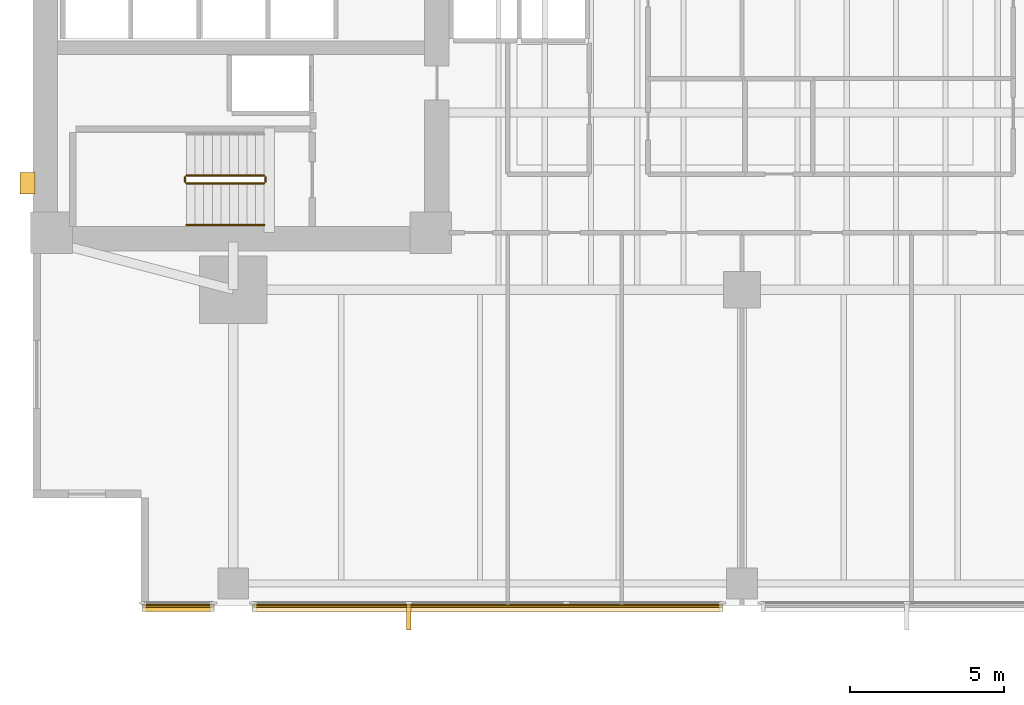
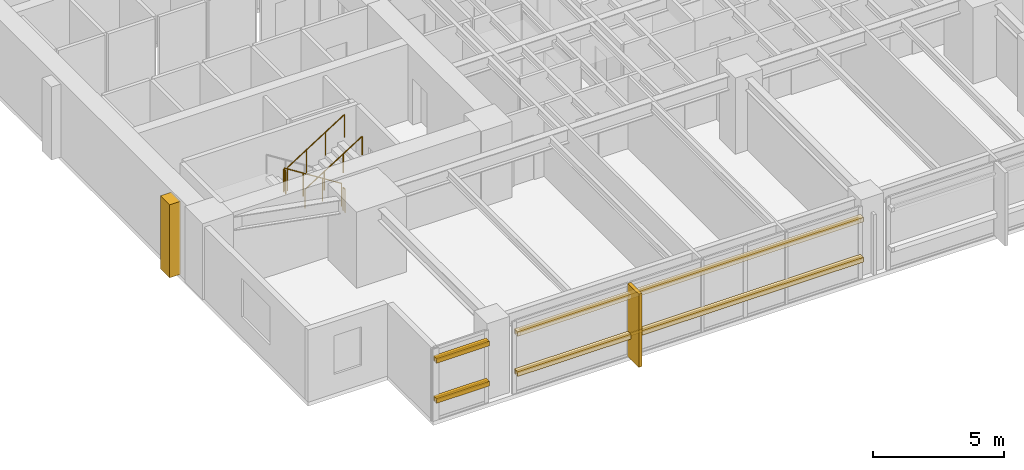
# One storey, part 12 of 15: 6 coverings, 5 railings, 4 shading devices.
"""IFC4 building model written with IfcOpenShell, lengths in metres."""

import ifcopenshell
import ifcopenshell.guid

model = None  # the IFC model being written
_history = None  # IfcOwnerHistory: only IFC2X3 demands one
_inside = {}  # id of a spatial element -> (the spatial element, [elements in it])
_under = {}  # id of a project, library or spatial element -> (it, [spatial elements below it])
_declared = {}  # id of a project -> (the project, [libraries it declares])
_typed = {}  # id of a type object -> (the type object, [elements of that type])
_made_of = {}  # id of a material, layer set ... -> (it, [elements and type objects made of it])


def new_model(schema):
    """Start an empty IFC model of exactly this schema.

    Asked for "IFC4X3", IfcOpenShell would pick the latest addendum, in which some entities
    have other attributes; the version numbers below select the first issue.
    IFC2X3 requires an IfcOwnerHistory on every rooted entity: one is made here for all.
    """
    global model, _history
    if schema == "IFC4X3":
        model = ifcopenshell.file(schema_version=(4, 3, 0, 0))
    else:
        model = ifcopenshell.file(schema=schema)
    _inside.clear()
    _under.clear()
    _declared.clear()
    _typed.clear()
    _made_of.clear()
    _history = None
    if model.schema == "IFC2X3":
        org = make("IfcOrganization", Name="unknown")
        user = make(
            "IfcPersonAndOrganization",
            ThePerson=make("IfcPerson", FamilyName="unknown"),
            TheOrganization=org,
        )
        app = make(
            "IfcApplication",
            ApplicationDeveloper=org,
            Version="unknown",
            ApplicationFullName="unknown",
            ApplicationIdentifier="unknown",
        )
        _history = make(
            "IfcOwnerHistory",
            OwningUser=user,
            OwningApplication=app,
            ChangeAction="ADDED",
            CreationDate=0,
        )
    return model


def make(cls, **values):
    """One entity of the class cls with the attributes given. An attribute that is None is left unset."""
    return model.create_entity(
        cls, **{name: value for name, value in values.items() if value is not None}
    )


def rooted(cls, **values):
    """An entity with a GlobalId (a new one), such as an element, a storey or a relation."""
    return make(cls, GlobalId=ifcopenshell.guid.new(), OwnerHistory=_history, **values)


def si_unit(unit_type, name, prefix=None):
    """IfcSIUnit, for example si_unit("LENGTHUNIT", "METRE", prefix="MILLI")."""
    return make("IfcSIUnit", UnitType=unit_type, Prefix=prefix, Name=name)


def assignment(units):
    """IfcUnitAssignment: the units of a project."""
    return None if units is None else make("IfcUnitAssignment", Units=units)


def point(xyz):
    """IfcCartesianPoint."""
    return None if xyz is None else make("IfcCartesianPoint", Coordinates=xyz)


def direction(xyz):
    """IfcDirection."""
    return None if xyz is None else make("IfcDirection", DirectionRatios=xyz)


def frame(location, z_axis=None, x_axis=None):
    """IfcAxis2Placement3D, a coordinate frame: its origin and axes. An axis left out is left unset."""
    return make(
        "IfcAxis2Placement3D",
        Location=point(location),
        Axis=direction(z_axis),
        RefDirection=direction(x_axis),
    )


def frame_2d(location, x_axis=None):
    """IfcAxis2Placement2D, a coordinate frame in the plane: its origin and x axis."""
    return make(
        "IfcAxis2Placement2D", Location=point(location), RefDirection=direction(x_axis)
    )


def origin():
    """The frame at (0, 0, 0) with its axes left unset."""
    return frame((0.0, 0.0, 0.0))


def origin_2d():
    """The frame at (0, 0) in the plane with its x axis left unset."""
    return frame_2d((0.0, 0.0))


def place(relative_to, where):
    """IfcLocalPlacement: puts the frame where relative to a parent placement (None: the world)."""
    return make(
        "IfcLocalPlacement", PlacementRelTo=relative_to, RelativePlacement=where
    )


def context(
    kind, dimensions, precision=None, world=None, true_north=None, identifier=None
):
    """IfcGeometricRepresentationContext, for example the 3D "Model" context."""
    return make(
        "IfcGeometricRepresentationContext",
        ContextIdentifier=identifier,
        ContextType=kind,
        CoordinateSpaceDimension=dimensions,
        Precision=precision,
        WorldCoordinateSystem=world,
        TrueNorth=true_north,
    )


def subcontext(parent, identifier, kind, view, scale=None):
    """IfcGeometricRepresentationSubContext, for example "Body" below "Model"."""
    return make(
        "IfcGeometricRepresentationSubContext",
        ContextIdentifier=identifier,
        ContextType=kind,
        ParentContext=parent,
        TargetScale=scale,
        TargetView=view,
    )


def project(units=None, contexts=None):
    """IfcProject with its units and contexts."""
    return rooted(
        "IfcProject",
        Name="project",
        RepresentationContexts=contexts,
        UnitsInContext=assignment(units),
    )


def spatial(cls, under=None, at=None, **own):
    """A site, building, storey or space (cls), placed at a placement, below another one or the project."""
    s = rooted(cls, ObjectPlacement=at, **own)
    if under is not None:
        _under.setdefault(under.id(), (under, []))[1].append(s)
    return s


def polyline(points):
    """IfcPolyline through the points."""
    return make("IfcPolyline", Points=[point(p) for p in points])


def profile(cls, at=None, kind="AREA", **sizes):
    """A parametric profile (cls). Its sizes go by their IFC names, for example OverallWidth=200.0."""
    return make(cls, ProfileType=kind, Position=at, **sizes)


def rectangle(**sizes):
    """IfcRectangleProfileDef."""
    return profile("IfcRectangleProfileDef", **sizes)


def circle(**sizes):
    """IfcCircleProfileDef."""
    return profile("IfcCircleProfileDef", **sizes)


def outline(outer, holes=None, kind="AREA"):
    """IfcArbitraryClosedProfileDef: a profile drawn as a closed curve; with holes, ...WithVoids."""
    if holes is None:
        return make("IfcArbitraryClosedProfileDef", ProfileType=kind, OuterCurve=outer)
    return make(
        "IfcArbitraryProfileDefWithVoids",
        ProfileType=kind,
        OuterCurve=outer,
        InnerCurves=holes,
    )


def extrude(swept, where, along, depth):
    """IfcExtrudedAreaSolid: the profile swept, set in the frame where, extruded along a direction by depth."""
    return make(
        "IfcExtrudedAreaSolid",
        SweptArea=swept,
        Position=where,
        ExtrudedDirection=direction(along),
        Depth=depth,
    )


def shape(context_of_items, identifier, shape_type, items):
    """IfcShapeRepresentation: the items that make up one representation, for example the "Body"."""
    return make(
        "IfcShapeRepresentation",
        ContextOfItems=context_of_items,
        RepresentationIdentifier=identifier,
        RepresentationType=shape_type,
        Items=items,
    )


def material(Name=None, Category=None):
    """IfcMaterial."""
    return make("IfcMaterial", Name=Name, Category=Category)


def layer(
    of_material, thickness, ventilated=None, Name=None, Category=None, Priority=None
):
    """IfcMaterialLayer: one layer of a wall or slab, of a material (None: an air gap)."""
    return make(
        "IfcMaterialLayer",
        Material=of_material,
        LayerThickness=thickness,
        IsVentilated=ventilated,
        Name=Name,
        Category=Category,
        Priority=Priority,
    )


def layer_set(layers, Name=None):
    """IfcMaterialLayerSet."""
    return make("IfcMaterialLayerSet", MaterialLayers=layers, LayerSetName=Name)


def material_profile(
    of_material, cross_section, Name=None, Category=None, Priority=None
):
    """IfcMaterialProfile: a cross section and its material."""
    return make(
        "IfcMaterialProfile",
        Name=Name,
        Material=of_material,
        Profile=cross_section,
        Priority=Priority,
        Category=Category,
    )


def profile_set(profiles, Name=None, composite=None):
    """IfcMaterialProfileSet."""
    return make(
        "IfcMaterialProfileSet",
        Name=Name,
        MaterialProfiles=profiles,
        CompositeProfile=composite,
    )


def made_of(thing, what):
    """Note that an element or type object is made of a material, layer set ...; save() writes the relation."""
    if what is not None:
        _made_of.setdefault(what.id(), (what, []))[1].append(thing)
    return thing


def type_object(cls, material=None, **own):
    """A type object (cls), such as IfcWallType, which elements share."""
    return made_of(rooted(cls, **own), material)


def element(
    cls,
    number,
    at=None,
    inside=None,
    cuts=None,
    type_object=None,
    material=None,
    context=None,
    identifier="Body",
    shape_type=None,
    held_by="IfcProductDefinitionShape",
    body=None,
    shapes=None,
    **own,
):
    """One element of the class cls, such as IfcWall. Its Tag is "e" and its number.

    at: its placement. inside: the storey or other place that contains it. cuts: it is an
    opening in that element (IfcRelVoidsElement). A single representation is given by context,
    identifier, shape_type and body (its items); several are given by shapes. held_by: the class
    of the entity that holds the representations. save() writes the other relations.
    """
    e = rooted(cls, Tag="e%d" % number, ObjectPlacement=at, **own)
    if body is not None:
        shapes = [shape(context, identifier, shape_type, body)]
    if shapes is not None:
        e.Representation = make(held_by, Representations=shapes)
    if inside is not None:
        _inside.setdefault(inside.id(), (inside, []))[1].append(e)
    if cuts is not None:
        rooted(
            "IfcRelVoidsElement", RelatingBuildingElement=cuts, RelatedOpeningElement=e
        )
    if type_object is not None:
        _typed.setdefault(type_object.id(), (type_object, []))[1].append(e)
    return made_of(e, material)


def aggregate(whole, parts):
    """IfcRelAggregates: a whole, such as a stair, and the parts it consists of."""
    return rooted("IfcRelAggregates", RelatingObject=whole, RelatedObjects=parts)


def save(model, path):
    """Write the relations noted so far, then the file.

    IfcRelAggregates (storeys below a building ...), IfcRelContainedInSpatialStructure (elements
    in a storey), IfcRelDefinesByType, IfcRelAssociatesMaterial and IfcRelDeclares: one each for
    every whole, place, type object, material and project.
    """
    for whole, parts in _under.values():
        aggregate(whole, parts)
    for where, things in _inside.values():
        rooted(
            "IfcRelContainedInSpatialStructure",
            RelatedElements=things,
            RelatingStructure=where,
        )
    for kind, things in _typed.values():
        rooted("IfcRelDefinesByType", RelatedObjects=things, RelatingType=kind)
    for what, things in _made_of.values():
        rooted("IfcRelAssociatesMaterial", RelatedObjects=things, RelatingMaterial=what)
    for by, libraries in _declared.values():
        rooted("IfcRelDeclares", RelatingContext=by, RelatedDefinitions=libraries)
    model.write(path)


model = new_model("IFC4")

# Units and contexts
model_context = context("Model", 3, precision=1e-05, world=origin(), true_north=direction((0.0, 1.0)))
body_context = subcontext(model_context, "Body", "Model", "MODEL_VIEW")
ifc_project = project(units=[si_unit("LENGTHUNIT", "METRE"), si_unit("AREAUNIT", "SQUARE_METRE"), si_unit("VOLUMEUNIT", "CUBIC_METRE"), si_unit("PLANEANGLEUNIT", "RADIAN"), si_unit("MASSUNIT", "GRAM", prefix="KILO")], contexts=[model_context])

# Site, building, storey
site_placement = place(None, origin())
site = spatial("IfcSite", under=ifc_project, at=site_placement, CompositionType="ELEMENT")
building_placement = place(site_placement, origin())
building = spatial("IfcBuilding", under=site, at=building_placement, Name="Kinhvarn Gate Tower", CompositionType="ELEMENT")
storey_placement = place(building_placement, frame((0.0, 0.0, 64.64990234375)))
storey = spatial("IfcBuildingStorey", under=building, at=storey_placement, Name="L16", CompositionType="ELEMENT", Elevation=64.64990234375)

# Coverings
ifc_material_1 = material(Name="Fired architectural terracotta", Category="masonry")
ifc_layer_1 = layer(ifc_material_1, 0.239990234375)
ifc_layer_set_1 = layer_set([ifc_layer_1], Name="Fired architectural terracotta")
covering_type_1 = type_object("IfcCoveringType", Name="COV-BAG-220", PredefinedType="CLADDING", material=ifc_layer_set_1)
for number, where, name in (
    (1, (0.0, 0.0, 0.940185546875), "Terracotta Horizontal Sunscreen Band TBG-220 (L16)"),
    (2, (0.0, 0.0, 2.81005859375), "Terracotta Horizontal Sunscreen Band TBG-220 (L16)"),
):
    element("IfcCovering", number, at=place(storey_placement, frame(where)), inside=storey, type_object=covering_type_1, Name=name, PredefinedType="CLADDING", context=body_context, shape_type="SweptSolid", body=[
        extrude(outline(polyline([(8.0400390625, 2.56005859375), (10.3798828125, 2.56005859375), (10.3798828125, 2.320068359375), (8.0400390625, 2.320068359375), (8.0400390625, 2.56005859375)])), origin(), (0.0, 0.0, 1.0), 0.219970703125),
    ])
for number, where, name in (
    (3, (0.0, 0.0, 0.940185546875), "Terracotta Horizontal Sunscreen Band TBG-220 (L16)"),
    (4, (0.0, 0.0, 2.81005859375), "Terracotta Horizontal Sunscreen Band TBG-220 (L16)"),
):
    element("IfcCovering", number, at=place(storey_placement, frame(where)), inside=storey, type_object=covering_type_1, Name=name, PredefinedType="CLADDING", context=body_context, shape_type="SweptSolid", body=[
        extrude(outline(polyline([(11.6201171875, 2.56005859375), (26.8798828125, 2.56005859375), (26.8798828125, 2.320068359375), (11.6201171875, 2.320068359375), (11.6201171875, 2.56005859375)])), origin(), (0.0, 0.0, 1.0), 0.219970703125),
    ])
ifc_layer_2 = layer(ifc_material_1, 0.139892578125)
ifc_layer_set_2 = layer_set([ifc_layer_2], Name="Fired architectural terracotta")
covering_type_2 = type_object("IfcCoveringType", Name="COV-FIN-850", PredefinedType="CLADDING", material=ifc_layer_set_2)
covering_1_placement = place(storey_placement, frame((0.0, 0.0, -0.02001953125)))
element("IfcCovering", 5, at=covering_1_placement, inside=storey, type_object=covering_type_2, Name="Vertical Terracotta Expressive Fin TFN-850 (L16)", PredefinedType="CLADDING", context=body_context, shape_type="SweptSolid", body=[
    extrude(outline(polyline([(16.623291015625, 2.570068359375), (16.76318359375, 2.570068359375), (16.76318359375, 1.719970703125), (16.623291015625, 1.719970703125), (16.623291015625, 2.570068359375)])), origin(), (0.0, 0.0, 1.0), 3.41015625),
])
ifc_material_2 = material(Name="Precast white architectural concrete C40/50", Category="concrete")
ifc_layer_3 = layer(ifc_material_2, 0.47998046875)
ifc_layer_set_3 = layer_set([ifc_layer_3], Name="Precast white architectural concrete C40/50")
covering_type_3 = type_object("IfcCoveringType", Name="COV-RIB-450", PredefinedType="CLADDING", material=ifc_layer_set_3)
covering_2_placement = place(storey_placement, frame((0.0, 0.0, -0.02001953125)))
element("IfcCovering", 6, at=covering_2_placement, inside=storey, type_object=covering_type_3, Name="West Core Sculptural Concrete Relief Rib CRB-450 (L16)", PredefinedType="CLADDING", context=body_context, shape_type="SweptSolid", body=[
    extrude(outline(polyline([(4.080078125, 15.85009765625), (4.56005859375, 15.85009765625), (4.56005859375, 16.550048828125), (4.080078125, 16.550048828125), (4.080078125, 15.85009765625)])), origin(), (0.0, 0.0, 1.0), 3.41015625),
])

# Railings
ifc_material_3 = material(Name="Steel S355", Category="steel")
railing_type_1 = type_object("IfcRailingType", Name="RL-ST-GRD", PredefinedType="BALUSTRADE", material=ifc_material_3)
railing_1_placement = place(storey_placement, frame((12.0, 16.449951171875, 0.177490234375)))
element("IfcRailing", 7, at=railing_1_placement, inside=storey, type_object=railing_type_1, Name="L16 ST1 stair guard 1", PredefinedType="BALUSTRADE", context=body_context, shape_type="SweptSolid", body=[
    extrude(circle(Radius=0.02392578125, at=origin_2d()), frame((0.0, 0.0, 1.076171875), z_axis=(-0.84456994832, 0.0, 0.535445237532), x_axis=(0.0, -1.0, 0.0)), (0.0, 0.0, 1.0), 2.98388671875),
    extrude(circle(Radius=0.02099609375, at=origin_2d()), origin(), (0.0, 0.0, 1.0), 1.052001953125),
    extrude(circle(Radius=0.02099609375, at=origin_2d()), frame((-0.840087890625, 0.0, 0.532470703125)), (0.0, 0.0, 1.0), 1.052001953125),
    extrude(circle(Radius=0.02099609375, at=origin_2d()), frame((-1.679931640625, 0.0, 1.065185546875)), (0.0, 0.0, 1.0), 1.052001953125),
    extrude(circle(Radius=0.02099609375, at=origin_2d()), frame((-2.52001953125, 0.0, 1.59765625)), (0.0, 0.0, 1.0), 1.052001953125),
])
railing_2_placement = place(storey_placement, frame((9.429931640625, 16.39990234375, 1.775146484375)))
element("IfcRailing", 8, at=railing_2_placement, inside=storey, type_object=railing_type_1, Name="L16 ST1 stair guard 2", PredefinedType="BALUSTRADE", context=body_context, shape_type="SweptSolid", body=[
    extrude(circle(Radius=0.02392578125, at=origin_2d()), frame((0.0, 0.0, 1.076171875), z_axis=(0.0, -1.0, 0.0), x_axis=(1.0, 0.0, 0.0)), (0.0, 0.0, 1.0), 0.14990234375),
    extrude(circle(Radius=0.02099609375, at=origin_2d()), origin(), (0.0, 0.0, 1.0), 1.052001953125),
    extrude(circle(Radius=0.02099609375, at=origin_2d()), frame((0.0, -0.14990234375, 0.0)), (0.0, 0.0, 1.0), 1.052001953125),
])
railing_3_placement = place(storey_placement, frame((9.47998046875, 16.199951171875, 1.95263671875)))
element("IfcRailing", 9, at=railing_3_placement, inside=storey, type_object=railing_type_1, Name="L16 ST1 stair guard 3", PredefinedType="BALUSTRADE", context=body_context, shape_type="SweptSolid", body=[
    extrude(circle(Radius=0.02392578125, at=origin_2d()), frame((0.0, 0.0, 1.076171875), z_axis=(0.84460694969, 0.0, 0.535386869969), x_axis=(0.0, 1.0, 0.0)), (0.0, 0.0, 1.0), 2.983642578125),
    extrude(circle(Radius=0.02099609375, at=origin_2d()), origin(), (0.0, 0.0, 1.0), 1.052001953125),
    extrude(circle(Radius=0.02099609375, at=origin_2d()), frame((0.840087890625, 0.0, 0.532470703125)), (0.0, 0.0, 1.0), 1.052001953125),
    extrude(circle(Radius=0.02099609375, at=origin_2d()), frame((1.679931640625, 0.0, 1.06494140625)), (0.0, 0.0, 1.0), 1.052001953125),
    extrude(circle(Radius=0.02099609375, at=origin_2d()), frame((2.52001953125, 0.0, 1.597412109375)), (0.0, 0.0, 1.0), 1.052001953125),
])
railing_4_placement = place(storey_placement, frame((12.050048828125, 16.39990234375, 0.0)))
element("IfcRailing", 10, at=railing_4_placement, inside=storey, type_object=railing_type_1, Name="L16 ST1 stair guard 4", PredefinedType="BALUSTRADE", context=body_context, shape_type="SweptSolid", body=[
    extrude(circle(Radius=0.02392578125, at=origin_2d()), frame((0.0, 0.0, 1.076171875), z_axis=(0.0, -1.0, 0.0), x_axis=(1.0, 0.0, 0.0)), (0.0, 0.0, 1.0), 0.14990234375),
    extrude(circle(Radius=0.02099609375, at=origin_2d()), origin(), (0.0, 0.0, 1.0), 1.052001953125),
    extrude(circle(Radius=0.02099609375, at=origin_2d()), frame((0.0, -0.14990234375, 0.0)), (0.0, 0.0, 1.0), 1.052001953125),
])
railing_type_2 = type_object("IfcRailingType", Name="RL-ST-HND", PredefinedType="HANDRAIL", material=ifc_material_3)
railing_5_placement = place(storey_placement, frame((9.47998046875, 14.85009765625, 1.95263671875)))
element("IfcRailing", 11, at=railing_5_placement, inside=storey, type_object=railing_type_2, Name="L16 ST1 stair handrail 2", PredefinedType="HANDRAIL", context=body_context, shape_type="SweptSolid", body=[
    extrude(circle(Radius=0.02392578125, at=origin_2d()), frame((0.0, 0.0, 0.8759765625), z_axis=(0.84460694969, 0.0, 0.535386869969), x_axis=(0.0, 1.0, 0.0)), (0.0, 0.0, 1.0), 2.983642578125),
    extrude(circle(Radius=0.02099609375, at=origin_2d()), origin(), (0.0, 0.0, 1.0), 0.851806640625),
    extrude(circle(Radius=0.02099609375, at=origin_2d()), frame((0.840087890625, 0.0, 0.532470703125)), (0.0, 0.0, 1.0), 0.851806640625),
    extrude(circle(Radius=0.02099609375, at=origin_2d()), frame((1.679931640625, 0.0, 1.06494140625)), (0.0, 0.0, 1.0), 0.851806640625),
    extrude(circle(Radius=0.02099609375, at=origin_2d()), frame((2.52001953125, 0.0, 1.597412109375)), (0.0, 0.0, 1.0), 0.851806640625),
])

# Shading devices
ifc_material_profile = material_profile(ifc_material_1, rectangle(XDim=0.06005859375, YDim=0.139892578125, at=origin_2d()), Name="TC 60x140")
ifc_profile_set = profile_set([ifc_material_profile], Name="Fired architectural terracotta")
shading_device_type = type_object("IfcShadingDeviceType", Name="SHD-BAG-180", PredefinedType="USERDEFINED", material=ifc_profile_set)
for number, where, z_axis, x_axis, name in (
    (12, (8.0400390625, 2.485107421875, 1.050048828125), (1.0, 0.0, 0.0), (0.0, 1.0, 0.0), "Fired Terracotta Baguette Screen Rod 60x140 mm (L16)"),
    (13, (8.0400390625, 2.485107421875, 2.920166015625), (1.0, 0.0, 0.0), (0.0, 1.0, 0.0), "Fired Terracotta Baguette Screen Rod 60x140 mm (L16)"),
):
    element("IfcShadingDevice", number, at=place(storey_placement, frame(where, z_axis=z_axis, x_axis=x_axis)), inside=storey, type_object=shading_device_type, Name=name, ObjectType="BAGUETTE", PredefinedType="USERDEFINED", context=body_context, shape_type="SweptSolid", body=[
        extrude(rectangle(XDim=0.06005859375, YDim=0.139892578125, at=origin_2d()), origin(), (0.0, 0.0, 1.0), 2.33984375),
    ])
for number, where, z_axis, x_axis, name in (
    (14, (11.6201171875, 2.485107421875, 1.050048828125), (1.0, 0.0, 0.0), (0.0, 1.0, 0.0), "Fired Terracotta Baguette Screen Rod 60x140 mm (L16)"),
    (15, (11.6201171875, 2.485107421875, 2.920166015625), (1.0, 0.0, 0.0), (0.0, 1.0, 0.0), "Fired Terracotta Baguette Screen Rod 60x140 mm (L16)"),
):
    element("IfcShadingDevice", number, at=place(storey_placement, frame(where, z_axis=z_axis, x_axis=x_axis)), inside=storey, type_object=shading_device_type, Name=name, ObjectType="BAGUETTE", PredefinedType="USERDEFINED", context=body_context, shape_type="SweptSolid", body=[
        extrude(rectangle(XDim=0.06005859375, YDim=0.139892578125, at=origin_2d()), origin(), (0.0, 0.0, 1.0), 15.259765625),
    ])

save(model, "model.ifc")
